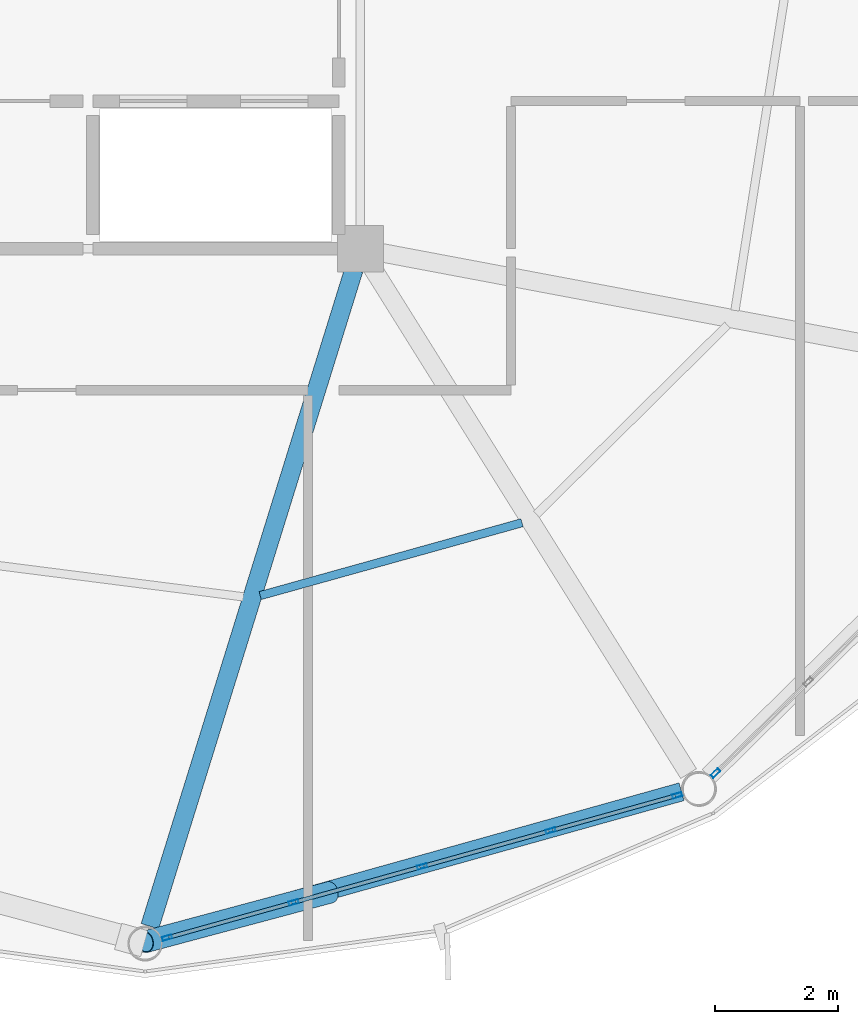
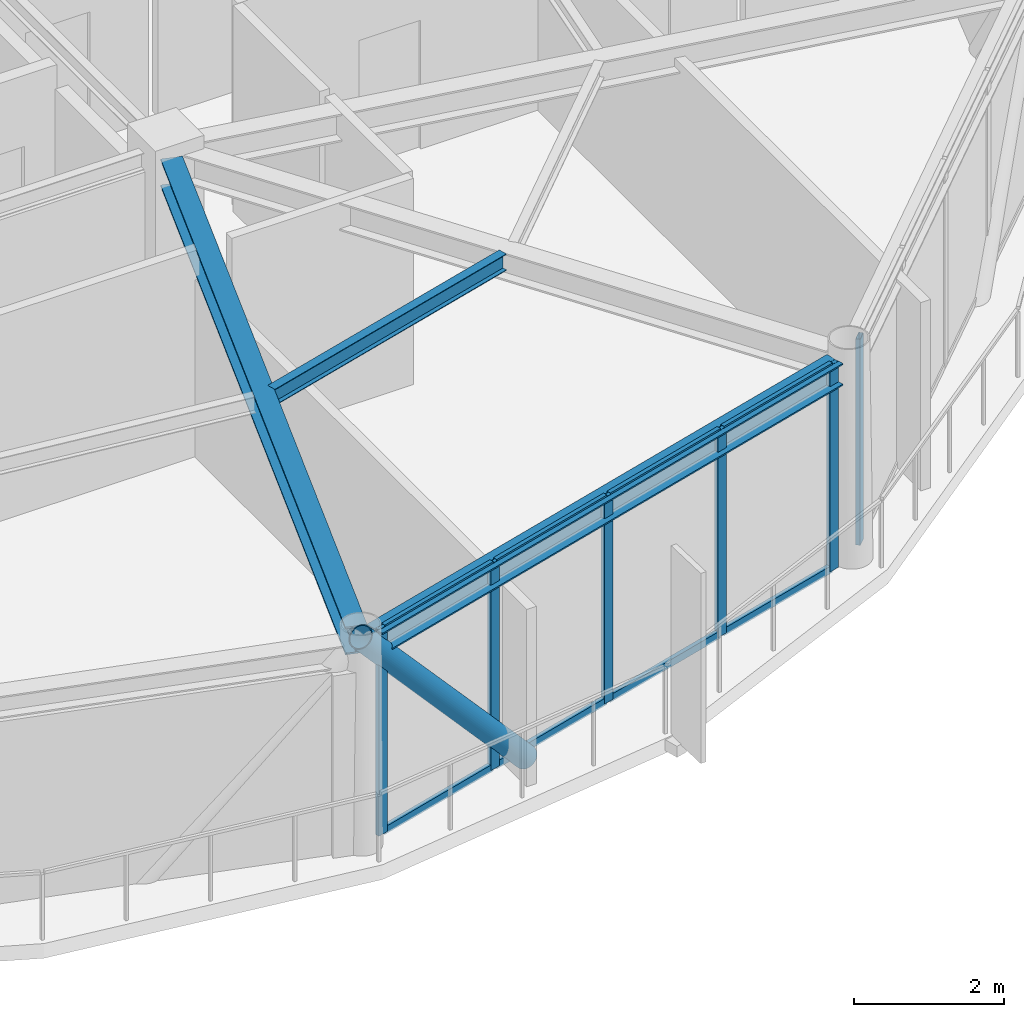
# One storey, part 7 of 26: 15 members, 3 beams, 2 elements without a shape of their own.
"""IFC4 building model written with IfcOpenShell, lengths in metres."""

from ifc_helpers import new_model, si_unit, direction, frame, origin, origin_2d, place, context, subcontext, project, spatial, hollow_rectangle, hollow_circle, i_section, extrude, material, layer, layer_set, material_profile, profile_set, type_object, element, aggregate, save


model = new_model("IFC4")

# Units and contexts
model_context = context("Model", 3, precision=1e-05, world=origin(), true_north=direction((0.0, 1.0)))
body_context = subcontext(model_context, "Body", "Model", "MODEL_VIEW")
ifc_project = project(units=[si_unit("LENGTHUNIT", "METRE"), si_unit("AREAUNIT", "SQUARE_METRE"), si_unit("VOLUMEUNIT", "CUBIC_METRE"), si_unit("PLANEANGLEUNIT", "RADIAN"), si_unit("MASSUNIT", "GRAM", prefix="KILO")], contexts=[model_context])

# Site, building, storey
site_placement = place(None, origin())
site = spatial("IfcSite", under=ifc_project, at=site_placement, CompositionType="ELEMENT")
building_placement = place(site_placement, origin())
building = spatial("IfcBuilding", under=site, at=building_placement, Name="Varnakorn Sky Granary", CompositionType="ELEMENT")
storey_placement = place(building_placement, frame((0.0, 0.0, 267.0)))
storey = spatial("IfcBuildingStorey", under=building, at=storey_placement, Name="L68", CompositionType="ELEMENT", Elevation=267.0)

# Beams
ifc_material_1 = material(Name="Steel S355JR", Category="steel")
ifc_material_profile_1 = material_profile(ifc_material_1, i_section(OverallWidth=0.300048828125, OverallDepth=0.449951171875, WebThickness=0.013916015625, FlangeThickness=0.02587890625, at=origin_2d()), Name="HE 450 B")
ifc_profile_set_1 = profile_set([ifc_material_profile_1], Name="Steel S355JR")
beam_type_1 = type_object("IfcBeamType", Name="BM-RAD-Z5", PredefinedType="BEAM", material=ifc_profile_set_1)
beam_1_placement = place(storey_placement, frame((8.24462890625, -6.93896484375, 3.135009765625), z_axis=(-0.296599759425, -0.955001875762, 0.0), x_axis=(0.955001875762, -0.296599759425, 0.0)))
element("IfcBeam", 1, at=beam_1_placement, inside=storey, type_object=beam_type_1, Name="Radial Floor Girder RG10 L68", PredefinedType="BEAM", context=body_context, shape_type="SweptSolid", body=[
    extrude(i_section(OverallWidth=0.300048828125, OverallDepth=0.449951171875, WebThickness=0.013916015625, FlangeThickness=0.02587890625, at=origin_2d()), origin(), (0.0, 0.0, 1.0), 11.1806640625),
])
ifc_material_profile_2 = material_profile(ifc_material_1, i_section(OverallWidth=0.135009765625, OverallDepth=0.27001953125, WebThickness=0.006591796875, FlangeThickness=0.01025390625, at=origin_2d()), Name="IPE 270")
ifc_profile_set_2 = profile_set([ifc_material_profile_2], Name="Steel S355JR")
beam_type_2 = type_object("IfcBeamType", Name="BM-SEC-Z5", PredefinedType="BEAM", material=ifc_profile_set_2)
beam_2_placement = place(storey_placement, frame((6.721435546875, -12.239990234375, 3.22509765625), z_axis=(0.963353847998, 0.268233785245, 0.0), x_axis=(-0.268233785245, 0.963353847998, 0.0)))
element("IfcBeam", 2, at=beam_2_placement, inside=storey, type_object=beam_type_2, Name="Secondary Floor Chord Beam MSB10 L68", PredefinedType="BEAM", context=body_context, shape_type="SweptSolid", body=[
    extrude(i_section(OverallWidth=0.135009765625, OverallDepth=0.27001953125, WebThickness=0.006591796875, FlangeThickness=0.01025390625, at=origin_2d()), origin(), (0.0, 0.0, 1.0), 4.41796875),
])
ifc_material_profile_3 = material_profile(ifc_material_1, i_section(OverallWidth=0.300048828125, OverallDepth=0.360107421875, WebThickness=0.012451171875, FlangeThickness=0.0224609375, at=origin_2d()), Name="HE 360 B")
ifc_profile_set_3 = profile_set([ifc_material_profile_3], Name="Steel S355JR")
beam_type_3 = type_object("IfcBeamType", Name="BM-SPD-Z5", PredefinedType="SPANDREL", material=ifc_profile_set_3)
beam_3_placement = place(storey_placement, frame((5.104736328125, -17.7978515625, 3.179931640625), z_axis=(0.963030605559, 0.269392005741, 0.0), x_axis=(-0.269392005741, 0.963030605559, 0.0)))
element("IfcBeam", 3, at=beam_3_placement, inside=storey, type_object=beam_type_3, Name="Perimeter Spandrel Ring Beam RB10 L68", PredefinedType="SPANDREL", context=body_context, shape_type="SweptSolid", body=[
    extrude(i_section(OverallWidth=0.300048828125, OverallDepth=0.360107421875, WebThickness=0.012451171875, FlangeThickness=0.0224609375, at=origin_2d()), origin(), (0.0, 0.0, 1.0), 8.79248046875),
])

# Curtain wall, members
ifc_material_2 = material(Name="Anodised Bronze Aluminium Alloy 6063-T6", Category="aluminium")
ifc_layer = layer(ifc_material_2, 0.159912109375, Name="Anodised Bronze Aluminium Alloy 6063-T6")
ifc_layer_set = layer_set([ifc_layer], Name="Anodised Bronze Aluminium Alloy 6063-T6")
curtain_wall_type = type_object("IfcCurtainWallType", Name="CW-OFF-1", PredefinedType="USERDEFINED", material=ifc_layer_set)
curtain_wall_1_placement = place(storey_placement, origin())
curtain_wall_1 = element("IfcCurtainWall", 4, at=curtain_wall_1_placement, inside=storey, type_object=curtain_wall_type, Name="Unitised Curtain Wall CW6 CW-L68-B10", ObjectType="CURTAIN WALL", PredefinedType="USERDEFINED")
ifc_material_profile_4 = material_profile(ifc_material_2, hollow_rectangle(XDim=0.06494140625, YDim=0.159912109375, WallThickness=0.00341796875, at=origin_2d()), Name="ALU MULL 65x160")
ifc_profile_set_4 = profile_set([ifc_material_profile_4], Name="Anodised Bronze Aluminium Alloy 6063-T6")
member_type_1 = type_object("IfcMemberType", Name="CW-OFF-1-MULL", PredefinedType="MULLION", material=ifc_profile_set_4)
member_1_placement = place(storey_placement, frame((13.502197265625, -15.487548828125, 0.0), z_axis=(0.0, 0.0, 1.0), x_axis=(0.268890232006, -0.963170827596, 0.0)))
member_1 = element("IfcMember", 5, at=member_1_placement, type_object=member_type_1, Name="CW6 mullion 1", PredefinedType="MULLION", context=body_context, shape_type="SweptSolid", body=[
    extrude(hollow_rectangle(XDim=0.06494140625, YDim=0.159912109375, WallThickness=0.00341796875, at=origin_2d()), origin(), (0.0, 0.0, 1.0), 3.360107421875),
])
member_2_placement = place(storey_placement, frame((11.4443359375, -16.06201171875, 0.0), z_axis=(0.0, 0.0, 1.0), x_axis=(0.268890232006, -0.963170827596, 0.0)))
member_2 = element("IfcMember", 6, at=member_2_placement, type_object=member_type_1, Name="CW6 mullion 2", PredefinedType="MULLION", context=body_context, shape_type="SweptSolid", body=[
    extrude(hollow_rectangle(XDim=0.06494140625, YDim=0.159912109375, WallThickness=0.00341796875, at=origin_2d()), origin(), (0.0, 0.0, 1.0), 3.360107421875),
])
member_3_placement = place(storey_placement, frame((9.355224609375, -16.645263671875, 0.0), z_axis=(0.0, 0.0, 1.0), x_axis=(0.268890232006, -0.963170827596, 0.0)))
member_3 = element("IfcMember", 7, at=member_3_placement, type_object=member_type_1, Name="CW6 mullion 3", PredefinedType="MULLION", context=body_context, shape_type="SweptSolid", body=[
    extrude(hollow_rectangle(XDim=0.06494140625, YDim=0.159912109375, WallThickness=0.00341796875, at=origin_2d()), origin(), (0.0, 0.0, 1.0), 3.360107421875),
])
member_4_placement = place(storey_placement, frame((7.26611328125, -17.228515625, 0.0), z_axis=(0.0, 0.0, 1.0), x_axis=(0.268890232006, -0.963170827596, 0.0)))
member_4 = element("IfcMember", 8, at=member_4_placement, type_object=member_type_1, Name="CW6 mullion 4", PredefinedType="MULLION", context=body_context, shape_type="SweptSolid", body=[
    extrude(hollow_rectangle(XDim=0.06494140625, YDim=0.159912109375, WallThickness=0.00341796875, at=origin_2d()), origin(), (0.0, 0.0, 1.0), 3.360107421875),
])
member_5_placement = place(storey_placement, frame((5.208251953125, -17.802978515625, 0.0), z_axis=(0.0, 0.0, 1.0), x_axis=(0.268890232006, -0.963170827596, 0.0)))
member_5 = element("IfcMember", 9, at=member_5_placement, type_object=member_type_1, Name="CW6 mullion 5", PredefinedType="MULLION", context=body_context, shape_type="SweptSolid", body=[
    extrude(hollow_rectangle(XDim=0.06494140625, YDim=0.159912109375, WallThickness=0.00341796875, at=origin_2d()), origin(), (0.0, 0.0, 1.0), 3.360107421875),
])

# Curtain wall, member
curtain_wall_2_placement = place(storey_placement, origin())
curtain_wall_2 = element("IfcCurtainWall", 10, at=curtain_wall_2_placement, inside=storey, type_object=curtain_wall_type, Name="Unitised Curtain Wall CW6 CW-L68-B11", ObjectType="CURTAIN WALL", PredefinedType="USERDEFINED")
member_6_placement = place(storey_placement, frame((14.12548828125, -15.126220703125, 0.0), z_axis=(0.0, 0.0, 1.0), x_axis=(0.702091405728, -0.71208683319, 0.0)))
member_6 = element("IfcMember", 11, at=member_6_placement, type_object=member_type_1, Name="CW6 mullion 5", PredefinedType="MULLION", context=body_context, shape_type="SweptSolid", body=[
    extrude(hollow_rectangle(XDim=0.06494140625, YDim=0.159912109375, WallThickness=0.00341796875, at=origin_2d()), origin(), (0.0, 0.0, 1.0), 3.360107421875),
])
aggregate(curtain_wall_2, [member_6])

# Member
ifc_material_profile_5 = material_profile(ifc_material_2, hollow_rectangle(XDim=0.06494140625, YDim=0.1201171875, WallThickness=0.00341796875, at=origin_2d()), Name="ALU TRAN 65x120")
ifc_profile_set_5 = profile_set([ifc_material_profile_5], Name="Anodised Bronze Aluminium Alloy 6063-T6")
member_type_2 = type_object("IfcMemberType", Name="CW-OFF-1-TRAN", PredefinedType="USERDEFINED", material=ifc_profile_set_5)
member_7_placement = place(storey_placement, frame((13.470947265625, -15.496337890625, 0.032470703125), z_axis=(-0.963191334067, -0.268816766549, 0.0), x_axis=(0.268816766549, -0.963191334067, 0.0)))
member_7 = element("IfcMember", 12, at=member_7_placement, type_object=member_type_2, Name="CW6 transom 1.1", ObjectType="TRANSOM", PredefinedType="USERDEFINED", context=body_context, shape_type="SweptSolid", body=[
    extrude(hollow_rectangle(XDim=0.06494140625, YDim=0.1201171875, WallThickness=0.00341796875, at=origin_2d()), origin(), (0.0, 0.0, 1.0), 2.071533203125),
])

member_8_placement = place(storey_placement, frame((13.470947265625, -15.496337890625, 3.327392578125), z_axis=(-0.963191334067, -0.268816766549, 0.0), x_axis=(0.268816766549, -0.963191334067, 0.0)))
member_8 = element("IfcMember", 13, at=member_8_placement, type_object=member_type_2, Name="CW6 transom 1.2", ObjectType="TRANSOM", PredefinedType="USERDEFINED", context=body_context, shape_type="SweptSolid", body=[
    extrude(hollow_rectangle(XDim=0.06494140625, YDim=0.1201171875, WallThickness=0.00341796875, at=origin_2d()), origin(), (0.0, 0.0, 1.0), 2.071533203125),
])

member_9_placement = place(storey_placement, frame((11.4130859375, -16.07080078125, 0.032470703125), z_axis=(-0.963183026032, -0.268846533106, 0.0), x_axis=(0.268846533106, -0.963183026032, 0.0)))
member_9 = element("IfcMember", 14, at=member_9_placement, type_object=member_type_2, Name="CW6 transom 2.1", ObjectType="TRANSOM", PredefinedType="USERDEFINED", context=body_context, shape_type="SweptSolid", body=[
    extrude(hollow_rectangle(XDim=0.06494140625, YDim=0.1201171875, WallThickness=0.00341796875, at=origin_2d()), origin(), (0.0, 0.0, 1.0), 2.10400390625),
])

member_10_placement = place(storey_placement, frame((11.4130859375, -16.07080078125, 3.327392578125), z_axis=(-0.963183026032, -0.268846533106, 0.0), x_axis=(0.268846533106, -0.963183026032, 0.0)))
member_10 = element("IfcMember", 15, at=member_10_placement, type_object=member_type_2, Name="CW6 transom 2.2", ObjectType="TRANSOM", PredefinedType="USERDEFINED", context=body_context, shape_type="SweptSolid", body=[
    extrude(hollow_rectangle(XDim=0.06494140625, YDim=0.1201171875, WallThickness=0.00341796875, at=origin_2d()), origin(), (0.0, 0.0, 1.0), 2.10400390625),
])

member_11_placement = place(storey_placement, frame((9.323974609375, -16.654052734375, 0.032470703125), z_axis=(-0.963183026032, -0.268846533106, 0.0), x_axis=(0.268846533106, -0.963183026032, 0.0)))
member_11 = element("IfcMember", 16, at=member_11_placement, type_object=member_type_2, Name="CW6 transom 3.1", ObjectType="TRANSOM", PredefinedType="USERDEFINED", context=body_context, shape_type="SweptSolid", body=[
    extrude(hollow_rectangle(XDim=0.06494140625, YDim=0.1201171875, WallThickness=0.00341796875, at=origin_2d()), origin(), (0.0, 0.0, 1.0), 2.10400390625),
])

member_12_placement = place(storey_placement, frame((9.323974609375, -16.654052734375, 3.327392578125), z_axis=(-0.963183026032, -0.268846533106, 0.0), x_axis=(0.268846533106, -0.963183026032, 0.0)))
member_12 = element("IfcMember", 17, at=member_12_placement, type_object=member_type_2, Name="CW6 transom 3.2", ObjectType="TRANSOM", PredefinedType="USERDEFINED", context=body_context, shape_type="SweptSolid", body=[
    extrude(hollow_rectangle(XDim=0.06494140625, YDim=0.1201171875, WallThickness=0.00341796875, at=origin_2d()), origin(), (0.0, 0.0, 1.0), 2.10400390625),
])

member_13_placement = place(storey_placement, frame((7.23486328125, -17.2373046875, 0.032470703125), z_axis=(-0.963191334067, -0.268816766549, 0.0), x_axis=(0.268816766549, -0.963191334067, 0.0)))
member_13 = element("IfcMember", 18, at=member_13_placement, type_object=member_type_2, Name="CW6 transom 4.1", ObjectType="TRANSOM", PredefinedType="USERDEFINED", context=body_context, shape_type="SweptSolid", body=[
    extrude(hollow_rectangle(XDim=0.06494140625, YDim=0.1201171875, WallThickness=0.00341796875, at=origin_2d()), origin(), (0.0, 0.0, 1.0), 2.071533203125),
])

member_14_placement = place(storey_placement, frame((7.23486328125, -17.2373046875, 3.327392578125), z_axis=(-0.963191334067, -0.268816766549, 0.0), x_axis=(0.268816766549, -0.963191334067, 0.0)))
member_14 = element("IfcMember", 19, at=member_14_placement, type_object=member_type_2, Name="CW6 transom 4.2", ObjectType="TRANSOM", PredefinedType="USERDEFINED", context=body_context, shape_type="SweptSolid", body=[
    extrude(hollow_rectangle(XDim=0.06494140625, YDim=0.1201171875, WallThickness=0.00341796875, at=origin_2d()), origin(), (0.0, 0.0, 1.0), 2.071533203125),
])

aggregate(curtain_wall_1, [member_1, member_2, member_3, member_4, member_5, member_7, member_8, member_9, member_10, member_11, member_12, member_13, member_14])

ifc_material_3 = material(Name="Steel S460M", Category="steel")
ifc_material_profile_6 = material_profile(ifc_material_3, hollow_circle(Radius=0.177734375, WallThickness=0.01416015625, at=origin_2d()), Name="CHS 355.6x14")
ifc_profile_set_6 = profile_set([ifc_material_profile_6], Name="Steel S460M")
member_type_3 = type_object("IfcMemberType", Name="MB-DIAG-T5", PredefinedType="BRACE", material=ifc_profile_set_6)
member_15_placement = place(storey_placement, frame((7.853515625, -17.064453125, -0.1298828125), z_axis=(-0.642559142449, -0.172104728855, 0.746657693164), x_axis=(0.258723002447, -0.965951555723, 0.0)))
element("IfcMember", 20, at=member_15_placement, inside=storey, type_object=member_type_3, Name="Perimeter CHS Diagrid Brace DG10 L68", PredefinedType="BRACE", context=body_context, shape_type="SweptSolid", body=[
    extrude(hollow_circle(Radius=0.177734375, WallThickness=0.01416015625, at=origin_2d()), origin(), (0.0, 0.0, 1.0), 4.674072265625),
])

save(model, "model.ifc")
